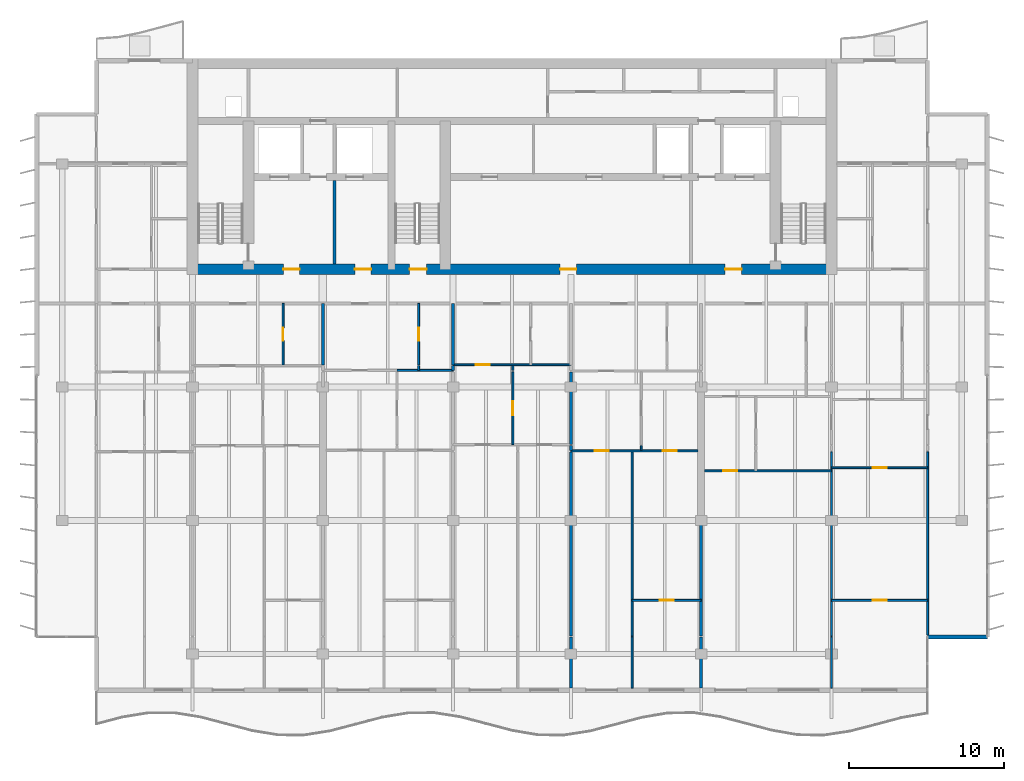
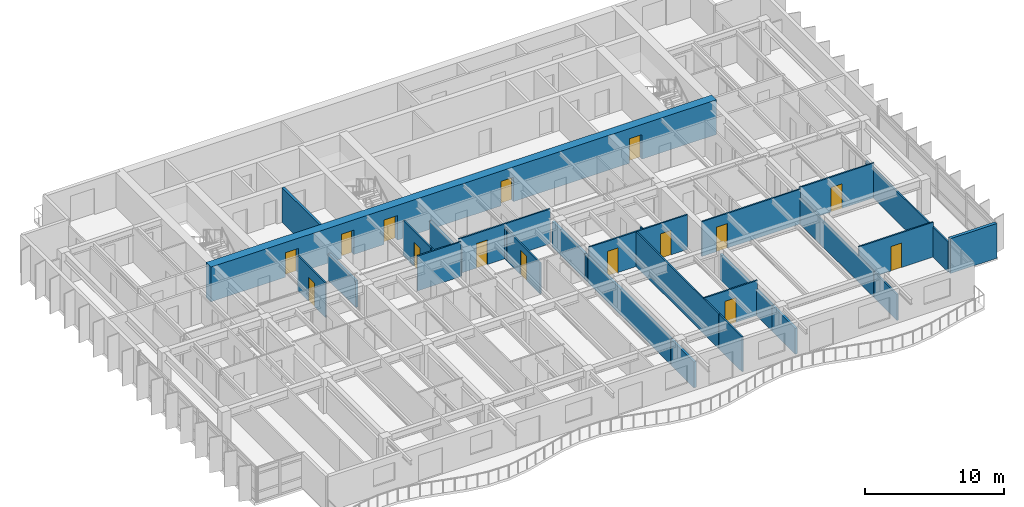
# One storey, part 8 of 17: 30 walls, 15 doors, 15 openings.
"""IFC4 building model written with IfcOpenShell, lengths in metres."""

from ifc_helpers import new_model, si_unit, direction, frame, frame_2d, origin, place, context, subcontext, project, spatial, rectangle, extrude, material, layer, layer_set, type_object, element, fill, save


model = new_model("IFC4")

# Units and contexts
model_context = context("Model", 3, precision=1e-05, world=origin(), true_north=direction((0.0, 1.0)))
body_context = subcontext(model_context, "Body", "Model", "MODEL_VIEW")
ifc_project = project(units=[si_unit("LENGTHUNIT", "METRE"), si_unit("AREAUNIT", "SQUARE_METRE"), si_unit("VOLUMEUNIT", "CUBIC_METRE"), si_unit("PLANEANGLEUNIT", "RADIAN"), si_unit("MASSUNIT", "GRAM", prefix="KILO")], contexts=[model_context])

# Site, building, storey
site_placement = place(None, origin())
site = spatial("IfcSite", under=ifc_project, at=site_placement, CompositionType="ELEMENT")
building_placement = place(site_placement, origin())
building = spatial("IfcBuilding", under=site, at=building_placement, Name="Caelmar Bay Residences", CompositionType="ELEMENT")
storey_placement = place(building_placement, frame((0.0, 0.0, 262.800048828125)))
storey = spatial("IfcBuildingStorey", under=building, at=storey_placement, Name="L74", CompositionType="ELEMENT", Elevation=262.800048828125)

# Wall, openings, doors
ifc_material_1 = material(Name="Concrete f'c 55 MPa (8,000 psi)", Category="concrete")
ifc_layer_1 = layer(ifc_material_1, 0.699951171875)
ifc_layer_set_1 = layer_set([ifc_layer_1], Name="Concrete f'c 55 MPa (8,000 psi)")
wall_type_1 = type_object("IfcWallType", Name="SW-COR-700", PredefinedType="SHEAR", material=ifc_layer_set_1)
wall_1_placement = place(storey_placement, frame((17.949951171875, 37.0, 0.0), z_axis=(0.0, 0.0, 1.0), x_axis=(1.0, 0.0, 0.0)))
wall_1 = element("IfcWall", 1, at=wall_1_placement, inside=storey, type_object=wall_type_1, Name="L74 Rear Core South Shear Wall", PredefinedType="SHEAR", context=body_context, shape_type="SweptSolid", body=[
    extrude(rectangle(XDim=41.900146484375, YDim=0.699951171875, at=frame_2d((20.9501953125, 0.0))), origin(), (0.0, 0.0, 1.0), 3.050048828125),
])
opening_1_placement = place(wall_1_placement, frame((14.35009765625, 0.0, 0.0)))
opening_1 = element("IfcOpeningElement", 2, at=opening_1_placement, cuts=wall_1, Name="Opening D-L74-105", PredefinedType="OPENING", context=body_context, shape_type="SweptSolid", body=[
    extrude(rectangle(XDim=1.10009765625, YDim=2.14990234375, at=frame_2d((0.550048828125, 1.074951171875))), frame((0.0, 0.35986328125, 0.0), z_axis=(0.0, -1.0, 0.0), x_axis=(1.0, 0.0, 0.0)), (0.0, 0.0, 1.0), 0.719970703125),
])
opening_2_placement = place(wall_1_placement, frame((6.199951171875, 0.0, 0.0)))
opening_2 = element("IfcOpeningElement", 3, at=opening_2_placement, cuts=wall_1, Name="Opening D-L74-106", PredefinedType="OPENING", context=body_context, shape_type="SweptSolid", body=[
    extrude(rectangle(XDim=1.050048828125, YDim=2.14990234375, at=frame_2d((0.52490234375, 1.074951171875))), frame((0.0, 0.35986328125, 0.0), z_axis=(0.0, -1.0, 0.0), x_axis=(1.0, 0.0, 0.0)), (0.0, 0.0, 1.0), 0.719970703125),
])
opening_3_placement = place(wall_1_placement, frame((34.699951171875, 0.0, 0.0)))
opening_3 = element("IfcOpeningElement", 4, at=opening_3_placement, cuts=wall_1, Name="Opening D-L74-109", PredefinedType="OPENING", context=body_context, shape_type="SweptSolid", body=[
    extrude(rectangle(XDim=1.050048828125, YDim=2.14990234375, at=frame_2d((0.52490234375, 1.074951171875))), frame((0.0, 0.35986328125, 0.0), z_axis=(0.0, -1.0, 0.0), x_axis=(1.0, 0.0, 0.0)), (0.0, 0.0, 1.0), 0.719970703125),
])
opening_4_placement = place(wall_1_placement, frame((10.8125, 0.0, 0.0)))
opening_4 = element("IfcOpeningElement", 5, at=opening_4_placement, cuts=wall_1, Name="Opening D-L74-112", PredefinedType="OPENING", context=body_context, shape_type="SweptSolid", body=[
    extrude(rectangle(XDim=1.050048828125, YDim=2.14990234375, at=frame_2d((0.52490234375, 1.074951171875))), frame((0.0, 0.35986328125, 0.0), z_axis=(0.0, -1.0, 0.0), x_axis=(1.0, 0.0, 0.0)), (0.0, 0.0, 1.0), 0.719970703125),
])
opening_5_placement = place(wall_1_placement, frame((24.050048828125, 0.0, 0.0)))
opening_5 = element("IfcOpeningElement", 6, at=opening_5_placement, cuts=wall_1, Name="Opening D-L74-113", PredefinedType="OPENING", context=body_context, shape_type="SweptSolid", body=[
    extrude(rectangle(XDim=1.050048828125, YDim=2.14990234375, at=frame_2d((0.52490234375, 1.074951171875))), frame((0.0, 0.35986328125, 0.0), z_axis=(0.0, -1.0, 0.0), x_axis=(1.0, 0.0, 0.0)), (0.0, 0.0, 1.0), 0.719970703125),
])
ifc_material_2 = material(Name="Fire-rated steel and walnut architectural door assembly", Category="steel")
ifc_layer_2 = layer(ifc_material_2, 0.050048828125)
ifc_layer_set_2 = layer_set([ifc_layer_2], Name="Fire-rated steel and walnut architectural door assembly")
door_type_1 = type_object("IfcDoorType", Name="D-FSAE-1050", OperationType="NOTDEFINED", PredefinedType="DOOR", material=ifc_layer_set_2)
door_1_placement = place(opening_2_placement, origin())
door_1 = element("IfcDoor", 7, at=door_1_placement, inside=storey, type_object=door_type_1, Name="L74 Firefighting Lobby West Door", OperationType="SINGLE_SWING_RIGHT", OverallHeight=2.14990234375, OverallWidth=1.050048828125, PredefinedType="DOOR", context=body_context, shape_type="SweptSolid", body=[
    extrude(rectangle(XDim=1.050048828125, YDim=2.14990234375, at=frame_2d((0.52490234375, 1.074951171875))), frame((0.0, 0.02490234375, 0.0), z_axis=(0.0, -1.0, 0.0), x_axis=(1.0, 0.0, 0.0)), (0.0, 0.0, 1.0), 0.050048828125),
])
fill(opening_2, door_1)
door_2_placement = place(opening_3_placement, origin())
door_2 = element("IfcDoor", 8, at=door_2_placement, inside=storey, type_object=door_type_1, Name="L74 Firefighting Lobby East Door", OperationType="SINGLE_SWING_LEFT", OverallHeight=2.14990234375, OverallWidth=1.050048828125, PredefinedType="DOOR", context=body_context, shape_type="SweptSolid", body=[
    extrude(rectangle(XDim=1.050048828125, YDim=2.14990234375, at=frame_2d((0.52490234375, 1.074951171875))), frame((0.0, 0.02490234375, 0.0), z_axis=(0.0, -1.0, 0.0), x_axis=(1.0, 0.0, 0.0)), (0.0, 0.0, 1.0), 0.050048828125),
])
fill(opening_3, door_2)
door_3_placement = place(opening_4_placement, origin())
door_3 = element("IfcDoor", 9, at=door_3_placement, inside=storey, type_object=door_type_1, Name="L74 West Lift Lobby Door", OperationType="SINGLE_SWING_RIGHT", OverallHeight=2.14990234375, OverallWidth=1.050048828125, PredefinedType="DOOR", context=body_context, shape_type="SweptSolid", body=[
    extrude(rectangle(XDim=1.050048828125, YDim=2.14990234375, at=frame_2d((0.52490234375, 1.074951171875))), frame((0.0, 0.02490234375, 0.0), z_axis=(0.0, -1.0, 0.0), x_axis=(1.0, 0.0, 0.0)), (0.0, 0.0, 1.0), 0.050048828125),
])
fill(opening_4, door_3)
door_4_placement = place(opening_5_placement, origin())
door_4 = element("IfcDoor", 10, at=door_4_placement, inside=storey, type_object=door_type_1, Name="L74 Passenger Lift Lobby Door", OperationType="SINGLE_SWING_LEFT", OverallHeight=2.14990234375, OverallWidth=1.050048828125, PredefinedType="DOOR", context=body_context, shape_type="SweptSolid", body=[
    extrude(rectangle(XDim=1.050048828125, YDim=2.14990234375, at=frame_2d((0.52490234375, 1.074951171875))), frame((0.0, 0.02490234375, 0.0), z_axis=(0.0, -1.0, 0.0), x_axis=(1.0, 0.0, 0.0)), (0.0, 0.0, 1.0), 0.050048828125),
])
fill(opening_5, door_4)
ifc_layer_3 = layer(ifc_material_2, 0.050048828125)
ifc_layer_set_3 = layer_set([ifc_layer_3], Name="Fire-rated steel and walnut architectural door assembly")
door_type_2 = type_object("IfcDoorType", Name="D-STAIR-1100", OperationType="NOTDEFINED", PredefinedType="DOOR", material=ifc_layer_set_3)
door_5_placement = place(opening_1_placement, origin())
door_5 = element("IfcDoor", 11, at=door_5_placement, inside=storey, type_object=door_type_2, Name="L74 Exit Stair ST3 Door", OperationType="SINGLE_SWING_LEFT", OverallHeight=2.14990234375, OverallWidth=1.10009765625, PredefinedType="DOOR", context=body_context, shape_type="SweptSolid", body=[
    extrude(rectangle(XDim=1.10009765625, YDim=2.14990234375, at=frame_2d((0.550048828125, 1.074951171875))), frame((0.0, 0.02490234375, 0.0), z_axis=(0.0, -1.0, 0.0), x_axis=(1.0, 0.0, 0.0)), (0.0, 0.0, 1.0), 0.050048828125),
])
fill(opening_1, door_5)

# Walls
ifc_material_3 = material(Name="Precast concrete f'c 40 MPa (6,000 psi)", Category="concrete")
ifc_layer_4 = layer(ifc_material_3, 0.25)
ifc_layer_set_4 = layer_set([ifc_layer_4], Name="Precast concrete f'c 40 MPa (6,000 psi)")
wall_type_2 = type_object("IfcWallType", Name="W-EXT-250", PredefinedType="ELEMENTEDWALL", material=ifc_layer_set_4)
wall_2_placement = place(storey_placement, frame((65.699951171875, 13.300048828125, 0.0), z_axis=(0.0, 0.0, 1.0), x_axis=(1.0, 0.0, 0.0)))
element("IfcWall", 12, at=wall_2_placement, inside=storey, type_object=wall_type_2, Name="L74 SE Notch Return Wall", PredefinedType="ELEMENTEDWALL", context=body_context, shape_type="SweptSolid", body=[
    extrude(rectangle(XDim=3.85009765625, YDim=0.25, at=frame_2d((1.925048828125, 0.0))), origin(), (0.0, 0.0, 1.0), 3.050048828125),
])
ifc_material_4 = material(Name="Fire-rated masonry and gypsum shaftliner assembly 200 mm", Category="masonry")
ifc_layer_5 = layer(ifc_material_4, 0.199951171875)
ifc_layer_set_5 = layer_set([ifc_layer_5], Name="Fire-rated masonry and gypsum shaftliner assembly 200 mm")
wall_type_3 = type_object("IfcWallType", Name="W-FSAE-200", PredefinedType="PARTITIONING", material=ifc_layer_set_5)
wall_3_placement = place(storey_placement, frame((27.449951171875, 37.344970703125, 0.0), z_axis=(0.0, 0.0, 1.0), x_axis=(0.0, 1.0, 0.0)))
element("IfcWall", 13, at=wall_3_placement, inside=storey, type_object=wall_type_3, Name="L74 Partition Wall V034", PredefinedType="PARTITIONING", context=body_context, shape_type="SweptSolid", body=[
    extrude(rectangle(XDim=5.385009765625, YDim=0.199951171875, at=frame_2d((2.6923828125, 0.0))), origin(), (0.0, 0.0, 1.0), 3.050048828125),
])

# Wall, opening, door
ifc_material_5 = material(Name="Acoustic metal-stud gypsum partition 120 mm")
ifc_layer_6 = layer(ifc_material_5, 0.1201171875)
ifc_layer_set_6 = layer_set([ifc_layer_6], Name="Acoustic metal-stud gypsum partition 120 mm")
wall_type_4 = type_object("IfcWallType", Name="W-PRT-120", PredefinedType="PARTITIONING", material=ifc_layer_set_6)
wall_4_placement = place(storey_placement, frame((24.137939453125, 30.840087890625, 0.0), z_axis=(0.0, 0.0, 1.0), x_axis=(0.0, 1.0, 0.0)))
wall_4 = element("IfcWall", 14, at=wall_4_placement, inside=storey, type_object=wall_type_4, Name="L74 Partition Wall V027", PredefinedType="PARTITIONING", context=body_context, shape_type="SweptSolid", body=[
    extrude(rectangle(XDim=3.9599609375, YDim=0.1201171875, at=frame_2d((1.97998046875, 0.0))), origin(), (0.0, 0.0, 1.0), 3.050048828125),
])
opening_6_placement = place(wall_4_placement, frame((1.554931640625, 0.0, 0.0)))
opening_6 = element("IfcOpeningElement", 15, at=opening_6_placement, cuts=wall_4, Name="Opening D-L74-129", PredefinedType="OPENING", context=body_context, shape_type="SweptSolid", body=[
    extrude(rectangle(XDim=0.85009765625, YDim=2.10009765625, at=frame_2d((0.425048828125, 1.050048828125))), frame((0.0, 0.070068359375, 0.0), z_axis=(0.0, -1.0, 0.0), x_axis=(1.0, 0.0, 0.0)), (0.0, 0.0, 1.0), 0.14013671875),
])
ifc_material_6 = material(Name="Solid walnut timber interior door leaf and frame", Category="wood")
ifc_layer_7 = layer(ifc_material_6, 0.050048828125)
ifc_layer_set_7 = layer_set([ifc_layer_7], Name="Solid walnut timber interior door leaf and frame")
door_type_3 = type_object("IfcDoorType", Name="D-BATH-850", OperationType="NOTDEFINED", PredefinedType="DOOR", material=ifc_layer_set_7)
door_6_placement = place(opening_6_placement, origin())
door_6 = element("IfcDoor", 16, at=door_6_placement, inside=storey, type_object=door_type_3, Name="L74 Residence 02 Bathroom Door", OperationType="SINGLE_SWING_LEFT", OverallHeight=2.10009765625, OverallWidth=0.85009765625, PredefinedType="DOOR", context=body_context, shape_type="SweptSolid", body=[
    extrude(rectangle(XDim=0.85009765625, YDim=2.10009765625, at=frame_2d((0.425048828125, 1.050048828125))), frame((0.0, 0.02490234375, 0.0), z_axis=(0.0, -1.0, 0.0), x_axis=(1.0, 0.0, 0.0)), (0.0, 0.0, 1.0), 0.050048828125),
])
fill(opening_6, door_6)

# Wall
wall_5_placement = place(storey_placement, frame((32.8779296875, 30.47998046875, 0.0), z_axis=(0.0, 0.0, 1.0), x_axis=(0.0, 1.0, 0.0)))
element("IfcWall", 17, at=wall_5_placement, inside=storey, type_object=wall_type_4, Name="L74 Partition Wall V041", PredefinedType="PARTITIONING", context=body_context, shape_type="SweptSolid", body=[
    extrude(rectangle(XDim=0.300048828125, YDim=0.1201171875, at=frame_2d((0.14990234375, 0.0))), origin(), (0.0, 0.0, 1.0), 3.050048828125),
])

# Wall, opening, door
wall_6_placement = place(storey_placement, frame((32.8779296875, 30.840087890625, 0.0), z_axis=(0.0, 0.0, 1.0), x_axis=(0.0, 1.0, 0.0)))
wall_6 = element("IfcWall", 18, at=wall_6_placement, inside=storey, type_object=wall_type_4, Name="L74 Partition Wall V042", PredefinedType="PARTITIONING", context=body_context, shape_type="SweptSolid", body=[
    extrude(rectangle(XDim=3.9599609375, YDim=0.1201171875, at=frame_2d((1.97998046875, 0.0))), origin(), (0.0, 0.0, 1.0), 3.050048828125),
])
opening_7_placement = place(wall_6_placement, frame((1.554931640625, 0.0, 0.0)))
opening_7 = element("IfcOpeningElement", 19, at=opening_7_placement, cuts=wall_6, Name="Opening D-L74-136", PredefinedType="OPENING", context=body_context, shape_type="SweptSolid", body=[
    extrude(rectangle(XDim=0.85009765625, YDim=2.10009765625, at=frame_2d((0.425048828125, 1.050048828125))), frame((0.0, 0.070068359375, 0.0), z_axis=(0.0, -1.0, 0.0), x_axis=(1.0, 0.0, 0.0)), (0.0, 0.0, 1.0), 0.14013671875),
])
door_7_placement = place(opening_7_placement, origin())
door_7 = element("IfcDoor", 20, at=door_7_placement, inside=storey, type_object=door_type_3, Name="L74 Residence 03 Bathroom Door", OperationType="SINGLE_SWING_RIGHT", OverallHeight=2.10009765625, OverallWidth=0.85009765625, PredefinedType="DOOR", context=body_context, shape_type="SweptSolid", body=[
    extrude(rectangle(XDim=0.85009765625, YDim=2.10009765625, at=frame_2d((0.425048828125, 1.050048828125))), frame((0.0, 0.02490234375, 0.0), z_axis=(0.0, -1.0, 0.0), x_axis=(1.0, 0.0, 0.0)), (0.0, 0.0, 1.0), 0.050048828125),
])
fill(opening_7, door_7)

wall_7_placement = place(storey_placement, frame((38.9541015625, 25.68994140625, 0.0), z_axis=(0.0, 0.0, 1.0), x_axis=(0.0, 1.0, 0.0)))
wall_7 = element("IfcWall", 21, at=wall_7_placement, inside=storey, type_object=wall_type_4, Name="L74 Partition Wall V049", PredefinedType="PARTITIONING", context=body_context, shape_type="SweptSolid", body=[
    extrude(rectangle(XDim=4.68994140625, YDim=0.1201171875, at=frame_2d((2.344970703125, 0.0))), origin(), (0.0, 0.0, 1.0), 2.724853515625),
])
opening_8_placement = place(wall_7_placement, frame((1.89501953125, 0.0, 0.0)))
opening_8 = element("IfcOpeningElement", 22, at=opening_8_placement, cuts=wall_7, Name="Opening D-L74-145", PredefinedType="OPENING", context=body_context, shape_type="SweptSolid", body=[
    extrude(rectangle(XDim=0.89990234375, YDim=2.14990234375, at=frame_2d((0.449951171875, 1.074951171875))), frame((0.0, 0.070068359375, 0.0), z_axis=(0.0, -1.0, 0.0), x_axis=(1.0, 0.0, 0.0)), (0.0, 0.0, 1.0), 0.14013671875),
])
ifc_layer_8 = layer(ifc_material_6, 0.050048828125)
ifc_layer_set_8 = layer_set([ifc_layer_8], Name="Solid walnut timber interior door leaf and frame")
door_type_4 = type_object("IfcDoorType", Name="D-ROOM-900", OperationType="NOTDEFINED", PredefinedType="DOOR", material=ifc_layer_set_8)
door_8_placement = place(opening_8_placement, origin())
door_8 = element("IfcDoor", 23, at=door_8_placement, inside=storey, type_object=door_type_4, Name="L74 Residence 04 Private Reception Salon Door", OperationType="SINGLE_SWING_LEFT", OverallHeight=2.14990234375, OverallWidth=0.89990234375, PredefinedType="DOOR", context=body_context, shape_type="SweptSolid", body=[
    extrude(rectangle(XDim=0.89990234375, YDim=2.14990234375, at=frame_2d((0.449951171875, 1.074951171875))), frame((0.0, 0.02490234375, 0.0), z_axis=(0.0, -1.0, 0.0), x_axis=(1.0, 0.0, 0.0)), (0.0, 0.0, 1.0), 0.050048828125),
])
fill(opening_8, door_8)

# Walls
wall_8_placement = place(storey_placement, frame((38.9541015625, 30.47998046875, 0.0), z_axis=(0.0, 0.0, 1.0), x_axis=(0.0, 1.0, 0.0)))
element("IfcWall", 24, at=wall_8_placement, inside=storey, type_object=wall_type_4, Name="L74 Partition Wall V050", PredefinedType="PARTITIONING", context=body_context, shape_type="SweptSolid", body=[
    extrude(rectangle(XDim=0.300048828125, YDim=0.1201171875, at=frame_2d((0.14990234375, 0.0))), origin(), (0.0, 0.0, 1.0), 2.724853515625),
])
wall_9_placement = place(storey_placement, frame((46.64794921875, 9.9951171875, 0.0), z_axis=(0.0, 0.0, 1.0), x_axis=(0.0, 1.0, 0.0)))
element("IfcWall", 25, at=wall_9_placement, inside=storey, type_object=wall_type_4, Name="L74 Partition Wall V064", PredefinedType="PARTITIONING", context=body_context, shape_type="SweptSolid", body=[
    extrude(rectangle(XDim=3.304931640625, YDim=0.1201171875, at=frame_2d((1.65234375, 0.0))), origin(), (0.0, 0.0, 1.0), 3.050048828125),
])
wall_10_placement = place(storey_placement, frame((46.64794921875, 13.340087890625, 0.0), z_axis=(0.0, 0.0, 1.0), x_axis=(0.0, 1.0, 0.0)))
element("IfcWall", 26, at=wall_10_placement, inside=storey, type_object=wall_type_4, Name="L74 Partition Wall V065", PredefinedType="PARTITIONING", context=body_context, shape_type="SweptSolid", body=[
    extrude(rectangle(XDim=11.889892578125, YDim=0.1201171875, at=frame_2d((5.94482421875, 0.0))), origin(), (0.0, 0.0, 1.0), 3.050048828125),
])
wall_11_placement = place(storey_placement, frame((47.236083984375, 25.330078125, 0.0), z_axis=(0.0, 0.0, 1.0), x_axis=(0.0, 1.0, 0.0)))
element("IfcWall", 27, at=wall_11_placement, inside=storey, type_object=wall_type_4, Name="L74 Partition Wall V066", PredefinedType="PARTITIONING", context=body_context, shape_type="SweptSolid", body=[
    extrude(rectangle(XDim=0.2998046875, YDim=0.1201171875, at=frame_2d((0.14990234375, 0.0))), origin(), (0.0, 0.0, 1.0), 3.050048828125),
])
wall_12_placement = place(storey_placement, frame((59.5, 9.9951171875, 0.0), z_axis=(0.0, 0.0, 1.0), x_axis=(0.0, 1.0, 0.0)))
element("IfcWall", 28, at=wall_12_placement, inside=storey, type_object=wall_type_4, Name="L74 Partition Wall V087", PredefinedType="PARTITIONING", context=body_context, shape_type="SweptSolid", body=[
    extrude(rectangle(XDim=3.304931640625, YDim=0.1201171875, at=frame_2d((1.65234375, 0.0))), origin(), (0.0, 0.0, 1.0), 2.262939453125),
])
wall_13_placement = place(storey_placement, frame((59.5, 13.340087890625, 0.0), z_axis=(0.0, 0.0, 1.0), x_axis=(0.0, 1.0, 0.0)))
element("IfcWall", 29, at=wall_13_placement, inside=storey, type_object=wall_type_4, Name="L74 Partition Wall V088", PredefinedType="PARTITIONING", context=body_context, shape_type="SweptSolid", body=[
    extrude(rectangle(XDim=11.889892578125, YDim=0.1201171875, at=frame_2d((5.94482421875, 0.0))), origin(), (0.0, 0.0, 1.0), 2.262939453125),
])
wall_14_placement = place(storey_placement, frame((65.699951171875, 13.419921875, 0.0), z_axis=(0.0, 0.0, 1.0), x_axis=(0.0, 1.0, 0.0)))
element("IfcWall", 30, at=wall_14_placement, inside=storey, type_object=wall_type_4, Name="L74 Partition Wall V097", PredefinedType="PARTITIONING", context=body_context, shape_type="SweptSolid", body=[
    extrude(rectangle(XDim=11.81005859375, YDim=0.1201171875, at=frame_2d((5.905029296875, 0.0))), origin(), (0.0, 0.0, 1.0), 2.62890625),
])

# Wall, opening, door
wall_15_placement = place(storey_placement, frame((46.64794921875, 15.64990234375, 0.0), z_axis=(0.0, 0.0, 1.0), x_axis=(1.0, 0.0, 0.0)))
wall_15 = element("IfcWall", 31, at=wall_15_placement, inside=storey, type_object=wall_type_4, Name="L74 Partition Wall H107", PredefinedType="PARTITIONING", context=body_context, shape_type="SweptSolid", body=[
    extrude(rectangle(XDim=4.4521484375, YDim=0.1201171875, at=frame_2d((2.22607421875, 0.0))), origin(), (0.0, 0.0, 1.0), 3.050048828125),
])
opening_9_placement = place(wall_15_placement, frame((1.77587890625, 0.0, 0.0)))
opening_9 = element("IfcOpeningElement", 32, at=opening_9_placement, cuts=wall_15, Name="Opening D-L74-154", PredefinedType="OPENING", context=body_context, shape_type="SweptSolid", body=[
    extrude(rectangle(XDim=0.89990234375, YDim=2.14990234375, at=frame_2d((0.449951171875, 1.074951171875))), frame((0.0, 0.070068359375, 0.0), z_axis=(0.0, -1.0, 0.0), x_axis=(1.0, 0.0, 0.0)), (0.0, 0.0, 1.0), 0.14013671875),
])
door_9_placement = place(opening_9_placement, origin())
door_9 = element("IfcDoor", 33, at=door_9_placement, inside=storey, type_object=door_type_4, Name="L74 Residence 05 Primary Bedroom Door", OperationType="SINGLE_SWING_RIGHT", OverallHeight=2.14990234375, OverallWidth=0.89990234375, PredefinedType="DOOR", context=body_context, shape_type="SweptSolid", body=[
    extrude(rectangle(XDim=0.89990234375, YDim=2.14990234375, at=frame_2d((0.449951171875, 1.074951171875))), frame((0.0, 0.02490234375, 0.0), z_axis=(0.0, -1.0, 0.0), x_axis=(1.0, 0.0, 0.0)), (0.0, 0.0, 1.0), 0.050048828125),
])
fill(opening_9, door_9)

wall_16_placement = place(storey_placement, frame((59.5, 15.64990234375, 0.0), z_axis=(0.0, 0.0, 1.0), x_axis=(1.0, 0.0, 0.0)))
wall_16 = element("IfcWall", 34, at=wall_16_placement, inside=storey, type_object=wall_type_4, Name="L74 Partition Wall H108", PredefinedType="PARTITIONING", context=body_context, shape_type="SweptSolid", body=[
    extrude(rectangle(XDim=6.199951171875, YDim=0.1201171875, at=frame_2d((3.10009765625, 0.0))), origin(), (0.0, 0.0, 1.0), 3.050048828125),
])
opening_10_placement = place(wall_16_placement, frame((2.64990234375, 0.0, 0.0)))
opening_10 = element("IfcOpeningElement", 35, at=opening_10_placement, cuts=wall_16, Name="Opening D-L74-164", PredefinedType="OPENING", context=body_context, shape_type="SweptSolid", body=[
    extrude(rectangle(XDim=0.89990234375, YDim=2.14990234375, at=frame_2d((0.449951171875, 1.074951171875))), frame((0.0, 0.070068359375, 0.0), z_axis=(0.0, -1.0, 0.0), x_axis=(1.0, 0.0, 0.0)), (0.0, 0.0, 1.0), 0.14013671875),
])
door_10_placement = place(opening_10_placement, origin())
door_10 = element("IfcDoor", 36, at=door_10_placement, inside=storey, type_object=door_type_4, Name="L74 Residence 06 Primary Bedroom 1 Door", OperationType="SINGLE_SWING_RIGHT", OverallHeight=2.14990234375, OverallWidth=0.89990234375, PredefinedType="DOOR", context=body_context, shape_type="SweptSolid", body=[
    extrude(rectangle(XDim=0.89990234375, YDim=2.14990234375, at=frame_2d((0.449951171875, 1.074951171875))), frame((0.0, 0.02490234375, 0.0), z_axis=(0.0, -1.0, 0.0), x_axis=(1.0, 0.0, 0.0)), (0.0, 0.0, 1.0), 0.050048828125),
])
fill(opening_10, door_10)

wall_17_placement = place(storey_placement, frame((51.320068359375, 24.0, 0.0), z_axis=(0.0, 0.0, 1.0), x_axis=(1.0, 0.0, 0.0)))
wall_17 = element("IfcWall", 37, at=wall_17_placement, inside=storey, type_object=wall_type_4, Name="L74 Partition Wall H109", PredefinedType="PARTITIONING", context=body_context, shape_type="SweptSolid", body=[
    extrude(rectangle(XDim=8.179931640625, YDim=0.1201171875, at=frame_2d((4.08984375, 0.0))), origin(), (0.0, 0.0, 1.0), 3.050048828125),
])
opening_11_placement = place(wall_17_placement, frame((1.2041015625, 0.0, 0.0)))
opening_11 = element("IfcOpeningElement", 38, at=opening_11_placement, cuts=wall_17, Name="Opening D-L74-159", PredefinedType="OPENING", context=body_context, shape_type="SweptSolid", body=[
    extrude(rectangle(XDim=0.89990234375, YDim=2.14990234375, at=frame_2d((0.449951171875, 1.074951171875))), frame((0.0, 0.070068359375, 0.0), z_axis=(0.0, -1.0, 0.0), x_axis=(1.0, 0.0, 0.0)), (0.0, 0.0, 1.0), 0.14013671875),
])
door_11_placement = place(opening_11_placement, origin())
door_11 = element("IfcDoor", 39, at=door_11_placement, inside=storey, type_object=door_type_4, Name="L74 Residence 06 Penthouse Living Salon Door", OperationType="SINGLE_SWING_LEFT", OverallHeight=2.14990234375, OverallWidth=0.89990234375, PredefinedType="DOOR", context=body_context, shape_type="SweptSolid", body=[
    extrude(rectangle(XDim=0.89990234375, YDim=2.14990234375, at=frame_2d((0.449951171875, 1.074951171875))), frame((0.0, 0.02490234375, 0.0), z_axis=(0.0, -1.0, 0.0), x_axis=(1.0, 0.0, 0.0)), (0.0, 0.0, 1.0), 0.050048828125),
])
fill(opening_11, door_11)

wall_18_placement = place(storey_placement, frame((59.5048828125, 24.199951171875, 0.0), z_axis=(0.0, 0.0, 1.0), x_axis=(1.0, 0.0, 0.0)))
wall_18 = element("IfcWall", 40, at=wall_18_placement, inside=storey, type_object=wall_type_4, Name="L74 Partition Wall H110", PredefinedType="PARTITIONING", context=body_context, shape_type="SweptSolid", body=[
    extrude(rectangle(XDim=6.195068359375, YDim=0.1201171875, at=frame_2d((3.09765625, 0.0))), origin(), (0.0, 0.0, 1.0), 3.050048828125),
])
opening_12_placement = place(wall_18_placement, frame((2.6474609375, 0.0, 0.0)))
opening_12 = element("IfcOpeningElement", 41, at=opening_12_placement, cuts=wall_18, Name="Opening D-L74-163", PredefinedType="OPENING", context=body_context, shape_type="SweptSolid", body=[
    extrude(rectangle(XDim=0.89990234375, YDim=2.14990234375, at=frame_2d((0.449951171875, 1.074951171875))), frame((0.0, 0.070068359375, 0.0), z_axis=(0.0, -1.0, 0.0), x_axis=(1.0, 0.0, 0.0)), (0.0, 0.0, 1.0), 0.14013671875),
])
door_12_placement = place(opening_12_placement, origin())
door_12 = element("IfcDoor", 42, at=door_12_placement, inside=storey, type_object=door_type_4, Name="L74 Residence 06 Penthouse Sitting Salon 1 Door", OperationType="SINGLE_SWING_LEFT", OverallHeight=2.14990234375, OverallWidth=0.89990234375, PredefinedType="DOOR", context=body_context, shape_type="SweptSolid", body=[
    extrude(rectangle(XDim=0.89990234375, YDim=2.14990234375, at=frame_2d((0.449951171875, 1.074951171875))), frame((0.0, 0.02490234375, 0.0), z_axis=(0.0, -1.0, 0.0), x_axis=(1.0, 0.0, 0.0)), (0.0, 0.0, 1.0), 0.050048828125),
])
fill(opening_12, door_12)

# Wall, openings, doors
wall_19_placement = place(storey_placement, frame((42.699951171875, 25.2900390625, 0.0), z_axis=(0.0, 0.0, 1.0), x_axis=(1.0, 0.0, 0.0)))
wall_19 = element("IfcWall", 43, at=wall_19_placement, inside=storey, type_object=wall_type_4, Name="L74 Partition Wall H113", PredefinedType="PARTITIONING", context=body_context, shape_type="SweptSolid", body=[
    extrude(rectangle(XDim=8.179931640625, YDim=0.1201171875, at=frame_2d((4.08984375, 0.0))), origin(), (0.0, 0.0, 1.0), 3.050048828125),
])
opening_13_placement = place(wall_19_placement, frame((1.52392578125, 0.0, 0.0)))
opening_13 = element("IfcOpeningElement", 44, at=opening_13_placement, cuts=wall_19, Name="Opening D-L74-152", PredefinedType="OPENING", context=body_context, shape_type="SweptSolid", body=[
    extrude(rectangle(XDim=0.89990234375, YDim=2.14990234375, at=frame_2d((0.449951171875, 1.074951171875))), frame((0.0, 0.070068359375, 0.0), z_axis=(0.0, -1.0, 0.0), x_axis=(1.0, 0.0, 0.0)), (0.0, 0.0, 1.0), 0.14013671875),
])
opening_14_placement = place(wall_19_placement, frame((5.907958984375, 0.0, 0.0)))
opening_14 = element("IfcOpeningElement", 45, at=opening_14_placement, cuts=wall_19, Name="Opening D-L74-153", PredefinedType="OPENING", context=body_context, shape_type="SweptSolid", body=[
    extrude(rectangle(XDim=0.89990234375, YDim=2.14990234375, at=frame_2d((0.449951171875, 1.074951171875))), frame((0.0, 0.070068359375, 0.0), z_axis=(0.0, -1.0, 0.0), x_axis=(1.0, 0.0, 0.0)), (0.0, 0.0, 1.0), 0.14013671875),
])
door_13_placement = place(opening_13_placement, origin())
door_13 = element("IfcDoor", 46, at=door_13_placement, inside=storey, type_object=door_type_4, Name="L74 Residence 05 Living Room Door", OperationType="SINGLE_SWING_RIGHT", OverallHeight=2.14990234375, OverallWidth=0.89990234375, PredefinedType="DOOR", context=body_context, shape_type="SweptSolid", body=[
    extrude(rectangle(XDim=0.89990234375, YDim=2.14990234375, at=frame_2d((0.449951171875, 1.074951171875))), frame((0.0, 0.02490234375, 0.0), z_axis=(0.0, -1.0, 0.0), x_axis=(1.0, 0.0, 0.0)), (0.0, 0.0, 1.0), 0.050048828125),
])
fill(opening_13, door_13)
door_14_placement = place(opening_14_placement, origin())
door_14 = element("IfcDoor", 47, at=door_14_placement, inside=storey, type_object=door_type_4, Name="L74 Residence 05 Penthouse Sitting Room Door", OperationType="SINGLE_SWING_LEFT", OverallHeight=2.14990234375, OverallWidth=0.89990234375, PredefinedType="DOOR", context=body_context, shape_type="SweptSolid", body=[
    extrude(rectangle(XDim=0.89990234375, YDim=2.14990234375, at=frame_2d((0.449951171875, 1.074951171875))), frame((0.0, 0.02490234375, 0.0), z_axis=(0.0, -1.0, 0.0), x_axis=(1.0, 0.0, 0.0)), (0.0, 0.0, 1.0), 0.050048828125),
])
fill(opening_14, door_14)

# Wall
wall_20_placement = place(storey_placement, frame((31.5, 30.47998046875, 0.0), z_axis=(0.0, 0.0, 1.0), x_axis=(1.0, 0.0, 0.0)))
element("IfcWall", 48, at=wall_20_placement, inside=storey, type_object=wall_type_4, Name="L74 Partition Wall H124", PredefinedType="PARTITIONING", context=body_context, shape_type="SweptSolid", body=[
    extrude(rectangle(XDim=3.60009765625, YDim=0.1201171875, at=frame_2d((1.800048828125, 0.0))), origin(), (0.0, 0.0, 1.0), 3.050048828125),
])

# Wall, opening, door
wall_21_placement = place(storey_placement, frame((35.10009765625, 30.840087890625, 0.0), z_axis=(0.0, 0.0, 1.0), x_axis=(1.0, 0.0, 0.0)))
wall_21 = element("IfcWall", 49, at=wall_21_placement, inside=storey, type_object=wall_type_4, Name="L74 Partition Wall H126", PredefinedType="PARTITIONING", context=body_context, shape_type="SweptSolid", body=[
    extrude(rectangle(XDim=7.599853515625, YDim=0.1201171875, at=frame_2d((3.7998046875, 0.0))), origin(), (0.0, 0.0, 1.0), 3.050048828125),
])
opening_15_placement = place(wall_21_placement, frame((1.47705078125, 0.0, 0.0)))
opening_15 = element("IfcOpeningElement", 50, at=opening_15_placement, cuts=wall_21, Name="Opening D-L74-144", PredefinedType="OPENING", context=body_context, shape_type="SweptSolid", body=[
    extrude(rectangle(XDim=0.89990234375, YDim=2.14990234375, at=frame_2d((0.449951171875, 1.074951171875))), frame((0.0, 0.070068359375, 0.0), z_axis=(0.0, -1.0, 0.0), x_axis=(1.0, 0.0, 0.0)), (0.0, 0.0, 1.0), 0.14013671875),
])
door_15_placement = place(opening_15_placement, origin())
door_15 = element("IfcDoor", 51, at=door_15_placement, inside=storey, type_object=door_type_4, Name="L74 Residence 04 Kitchen Door", OperationType="SINGLE_SWING_RIGHT", OverallHeight=2.14990234375, OverallWidth=0.89990234375, PredefinedType="DOOR", context=body_context, shape_type="SweptSolid", body=[
    extrude(rectangle(XDim=0.89990234375, YDim=2.14990234375, at=frame_2d((0.449951171875, 1.074951171875))), frame((0.0, 0.02490234375, 0.0), z_axis=(0.0, -1.0, 0.0), x_axis=(1.0, 0.0, 0.0)), (0.0, 0.0, 1.0), 0.050048828125),
])
fill(opening_15, door_15)

# Walls
ifc_material_7 = material(Name="Acoustic twin-stud fire-rated inter-tenancy partition 200 mm")
ifc_layer_9 = layer(ifc_material_7, 0.199951171875)
ifc_layer_set_9 = layer_set([ifc_layer_9], Name="Acoustic twin-stud fire-rated inter-tenancy partition 200 mm")
wall_type_5 = type_object("IfcWallType", Name="W-PTY-200", PredefinedType="PARTITIONING", material=ifc_layer_set_9)
wall_22_placement = place(storey_placement, frame((26.699951171875, 30.840087890625, 0.0), z_axis=(0.0, 0.0, 1.0), x_axis=(0.0, 1.0, 0.0)))
element("IfcWall", 52, at=wall_22_placement, inside=storey, type_object=wall_type_5, Name="L74 Partition Wall V033", PredefinedType="PARTITIONING", context=body_context, shape_type="SweptSolid", body=[
    extrude(rectangle(XDim=3.9599609375, YDim=0.199951171875, at=frame_2d((1.97998046875, 0.0))), origin(), (0.0, 0.0, 1.0), 2.3349609375),
])
wall_23_placement = place(storey_placement, frame((35.10009765625, 30.47998046875, 0.0), z_axis=(0.0, 0.0, 1.0), x_axis=(0.0, 1.0, 0.0)))
element("IfcWall", 53, at=wall_23_placement, inside=storey, type_object=wall_type_5, Name="L74 Partition Wall V047", PredefinedType="PARTITIONING", context=body_context, shape_type="SweptSolid", body=[
    extrude(rectangle(XDim=0.300048828125, YDim=0.199951171875, at=frame_2d((0.14990234375, 0.0))), origin(), (0.0, 0.0, 1.0), 2.262939453125),
])
wall_24_placement = place(storey_placement, frame((35.10009765625, 30.840087890625, 0.0), z_axis=(0.0, 0.0, 1.0), x_axis=(0.0, 1.0, 0.0)))
element("IfcWall", 54, at=wall_24_placement, inside=storey, type_object=wall_type_5, Name="L74 Partition Wall V048", PredefinedType="PARTITIONING", context=body_context, shape_type="SweptSolid", body=[
    extrude(rectangle(XDim=3.9599609375, YDim=0.199951171875, at=frame_2d((1.97998046875, 0.0))), origin(), (0.0, 0.0, 1.0), 2.262939453125),
])
wall_25_placement = place(storey_placement, frame((42.699951171875, 9.9951171875, 0.0), z_axis=(0.0, 0.0, 1.0), x_axis=(0.0, 1.0, 0.0)))
element("IfcWall", 55, at=wall_25_placement, inside=storey, type_object=wall_type_5, Name="L74 Partition Wall V057", PredefinedType="PARTITIONING", context=body_context, shape_type="SweptSolid", body=[
    extrude(rectangle(XDim=3.304931640625, YDim=0.199951171875, at=frame_2d((1.65234375, 0.0))), origin(), (0.0, 0.0, 1.0), 2.262939453125),
])
wall_26_placement = place(storey_placement, frame((42.699951171875, 13.340087890625, 0.0), z_axis=(0.0, 0.0, 1.0), x_axis=(0.0, 1.0, 0.0)))
element("IfcWall", 56, at=wall_26_placement, inside=storey, type_object=wall_type_5, Name="L74 Partition Wall V058", PredefinedType="PARTITIONING", context=body_context, shape_type="SweptSolid", body=[
    extrude(rectangle(XDim=11.889892578125, YDim=0.199951171875, at=frame_2d((5.94482421875, 0.0))), origin(), (0.0, 0.0, 1.0), 2.262939453125),
])
wall_27_placement = place(storey_placement, frame((42.699951171875, 25.330078125, 0.0), z_axis=(0.0, 0.0, 1.0), x_axis=(0.0, 1.0, 0.0)))
element("IfcWall", 57, at=wall_27_placement, inside=storey, type_object=wall_type_5, Name="L74 Partition Wall V059", PredefinedType="PARTITIONING", context=body_context, shape_type="SweptSolid", body=[
    extrude(rectangle(XDim=0.2998046875, YDim=0.199951171875, at=frame_2d((0.14990234375, 0.0))), origin(), (0.0, 0.0, 1.0), 2.262939453125),
])
wall_28_placement = place(storey_placement, frame((42.699951171875, 25.68994140625, 0.0), z_axis=(0.0, 0.0, 1.0), x_axis=(0.0, 1.0, 0.0)))
element("IfcWall", 58, at=wall_28_placement, inside=storey, type_object=wall_type_5, Name="L74 Partition Wall V060", PredefinedType="PARTITIONING", context=body_context, shape_type="SweptSolid", body=[
    extrude(rectangle(XDim=4.68994140625, YDim=0.199951171875, at=frame_2d((2.344970703125, 0.0))), origin(), (0.0, 0.0, 1.0), 2.262939453125),
])
wall_29_placement = place(storey_placement, frame((51.10009765625, 9.9951171875, 0.0), z_axis=(0.0, 0.0, 1.0), x_axis=(0.0, 1.0, 0.0)))
element("IfcWall", 59, at=wall_29_placement, inside=storey, type_object=wall_type_5, Name="L74 Partition Wall V074", PredefinedType="PARTITIONING", context=body_context, shape_type="SweptSolid", body=[
    extrude(rectangle(XDim=3.304931640625, YDim=0.199951171875, at=frame_2d((1.65234375, 0.0))), origin(), (0.0, 0.0, 1.0), 2.262939453125),
])
wall_30_placement = place(storey_placement, frame((51.10009765625, 13.340087890625, 0.0), z_axis=(0.0, 0.0, 1.0), x_axis=(0.0, 1.0, 0.0)))
element("IfcWall", 60, at=wall_30_placement, inside=storey, type_object=wall_type_5, Name="L74 Partition Wall V075", PredefinedType="PARTITIONING", context=body_context, shape_type="SweptSolid", body=[
    extrude(rectangle(XDim=7.454833984375, YDim=0.199951171875, at=frame_2d((3.7275390625, 0.0))), origin(), (0.0, 0.0, 1.0), 2.262939453125),
])

save(model, "model.ifc")
